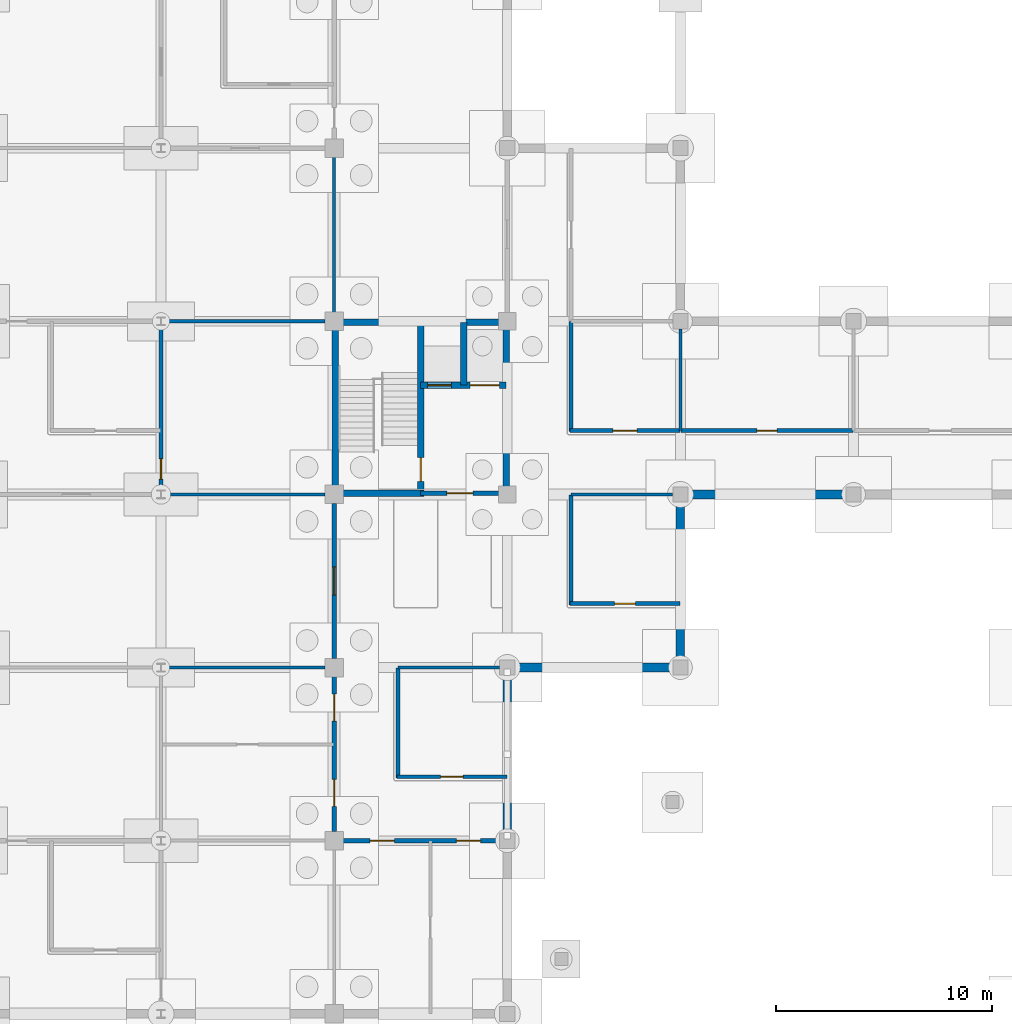
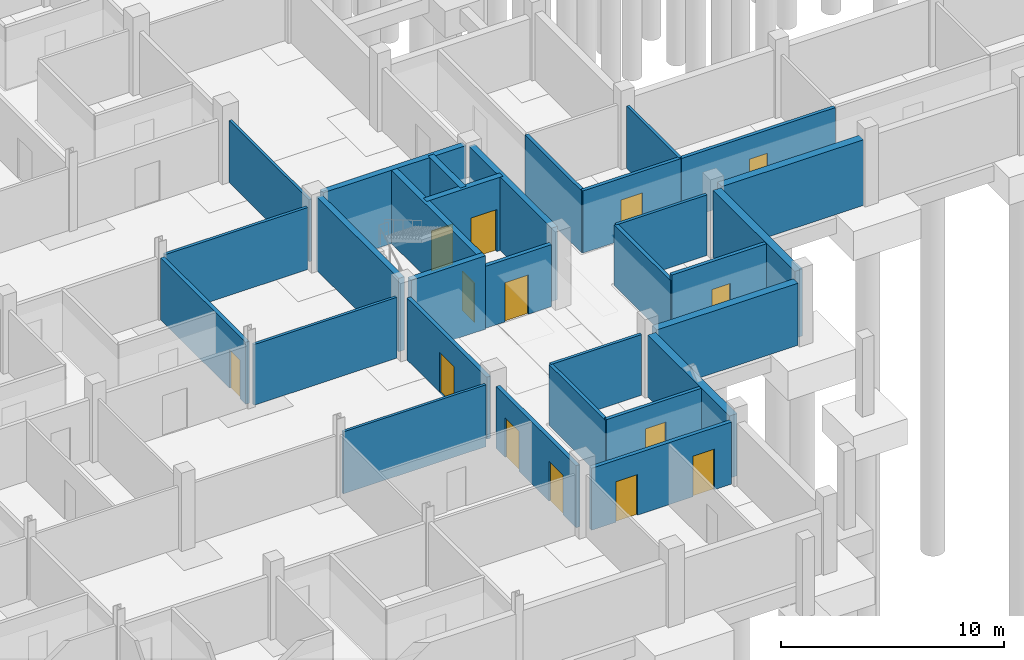
# One storey, part 30 of 48: 30 walls, 14 doors, 14 openings.
"""IFC4 building model written with IfcOpenShell, lengths in metres."""

from ifc_helpers import new_model, si_unit, derived_unit, direction, frame, frame_2d, origin, place, context, subcontext, project, spatial, rectangle, extrude, material, layer, layer_set, type_object, element, fill, save


model = new_model("IFC4")

# Units and contexts
model_context = context("Model", 3, precision=1e-05, world=origin(), true_north=direction((0.0, 1.0)))
body_context = subcontext(model_context, "Body", "Model", "MODEL_VIEW")
ifc_project = project(units=[si_unit("LENGTHUNIT", "METRE"), si_unit("AREAUNIT", "SQUARE_METRE"), si_unit("VOLUMEUNIT", "CUBIC_METRE"), si_unit("PLANEANGLEUNIT", "RADIAN"), si_unit("MASSUNIT", "GRAM", prefix="KILO"), derived_unit("THERMALTRANSMITTANCEUNIT", [(si_unit("MASSUNIT", "GRAM", prefix="KILO"), 1), (si_unit("TIMEUNIT", "SECOND"), -3), (si_unit("THERMODYNAMICTEMPERATUREUNIT", "KELVIN"), -1)])], contexts=[model_context])

# Site, building, storey
site_placement = place(None, origin())
site = spatial("IfcSite", under=ifc_project, at=site_placement, CompositionType="ELEMENT")
building_placement = place(site_placement, origin())
building = spatial("IfcBuilding", under=site, at=building_placement, Name="Veyamyaing Civic Hall", CompositionType="ELEMENT")
storey_placement = place(building_placement, frame((0.0, 0.0, -4.2900390625)))
storey = spatial("IfcBuildingStorey", under=building, at=storey_placement, Name="B1", CompositionType="ELEMENT", Elevation=-4.2900390625)

# Walls
ifc_material_1 = material(Name="Concrete C40/50", Category="concrete")
ifc_layer_1 = layer(ifc_material_1, 0.39990234375, Name="Concrete C40/50")
ifc_layer_set_1 = layer_set([ifc_layer_1], Name="Concrete C40/50")
wall_type_1 = type_object("IfcWallType", Name="WT-01", PredefinedType="SHEAR", material=ifc_layer_set_1)
for number, where, z_axis, x_axis, name in (
    (1, (112.0, 32.3349609375, 0.0), (0.0, 0.0, 1.0), (0.0, 1.0, 0.0), "Basement retaining wall WT-01 E 14.5"),
    (2, (112.3349609375, 40.0, 0.0), (0.0, 0.0, 1.0), (1.0, 0.0, 0.0), "Basement retaining wall WT-01 S 15.6"),
):
    element("IfcWall", number, at=place(storey_placement, frame(where, z_axis=z_axis, x_axis=x_axis)), inside=storey, type_object=wall_type_1, Name=name, PredefinedType="SHEAR", context=body_context, shape_type="SweptSolid", body=[
        extrude(rectangle(XDim=7.330078125, YDim=0.39990234375, at=frame_2d((3.6650390625, 0.0))), origin(), (0.0, 0.0, 1.0), 3.401123046875),
    ])
wall_1_placement = place(storey_placement, frame((120.0, 40.3349609375, 0.0), z_axis=(0.0, 0.0, 1.0), x_axis=(0.0, 1.0, 0.0)))
element("IfcWall", 3, at=wall_1_placement, inside=storey, type_object=wall_type_1, Name="Basement retaining wall WT-01 E 15.6", PredefinedType="SHEAR", context=body_context, shape_type="SweptSolid", body=[
    extrude(rectangle(XDim=7.330078125, YDim=0.39990234375, at=frame_2d((3.6650390625, 0.0))), origin(), (0.0, 0.0, 1.0), 3.6669921875),
])
wall_2_placement = place(storey_placement, frame((120.3349609375, 48.0, 0.0), z_axis=(0.0, 0.0, 1.0), x_axis=(1.0, 0.0, 0.0)))
element("IfcWall", 4, at=wall_2_placement, inside=storey, type_object=wall_type_1, Name="Basement retaining wall WT-01 S 16.7", PredefinedType="SHEAR", context=body_context, shape_type="SweptSolid", body=[
    extrude(rectangle(XDim=7.330078125, YDim=0.39990234375, at=frame_2d((3.6650390625, 0.0))), origin(), (0.0, 0.0, 1.0), 3.60009765625),
])
ifc_layer_2 = layer(ifc_material_1, 0.300048828125, Name="Concrete C40/50")
ifc_layer_set_2 = layer_set([ifc_layer_2], Name="Concrete C40/50")
wall_type_2 = type_object("IfcWallType", Name="WT-05", PredefinedType="SHEAR", material=ifc_layer_set_2)
wall_3_placement = place(storey_placement, frame((104.050048828125, 48.31494140625, 0.0), z_axis=(0.0, 0.0, 1.0), x_axis=(0.0, 1.0, 0.0)))
element("IfcWall", 5, at=wall_3_placement, inside=storey, type_object=wall_type_2, Name="Core shear wall WT-05 CORE-6 B1.W", PredefinedType="SHEAR", context=body_context, shape_type="SweptSolid", body=[
    extrude(rectangle(XDim=7.3701171875, YDim=0.300048828125, at=frame_2d((3.68505859375, 0.0))), origin(), (0.0, 0.0, 1.0), 4.01513671875),
])
wall_4_placement = place(storey_placement, frame((104.31494140625, 55.949951171875, 0.0), z_axis=(0.0, 0.0, 1.0), x_axis=(1.0, 0.0, 0.0)))
element("IfcWall", 6, at=wall_4_placement, inside=storey, type_object=wall_type_2, Name="Core shear wall WT-05 CORE-6 B1.N", PredefinedType="SHEAR", context=body_context, shape_type="SweptSolid", body=[
    extrude(rectangle(XDim=7.39501953125, YDim=0.300048828125, at=frame_2d((3.697509765625, 0.0))), origin(), (0.0, 0.0, 1.0), 4.01513671875),
])
wall_5_placement = place(storey_placement, frame((111.949951171875, 48.2900390625, 0.0), z_axis=(0.0, 0.0, 1.0), x_axis=(0.0, 1.0, 0.0)))
element("IfcWall", 7, at=wall_5_placement, inside=storey, type_object=wall_type_2, Name="Core shear wall WT-05 CORE-6 B1.E", PredefinedType="SHEAR", context=body_context, shape_type="SweptSolid", body=[
    extrude(rectangle(XDim=7.419921875, YDim=0.300048828125, at=frame_2d((3.7099609375, 0.0))), origin(), (0.0, 0.0, 1.0), 4.01513671875),
])
wall_6_placement = place(storey_placement, frame((104.31494140625, 48.050048828125, 0.0), z_axis=(0.0, 0.0, 1.0), x_axis=(1.0, 0.0, 0.0)))
element("IfcWall", 8, at=wall_6_placement, inside=storey, type_object=wall_type_2, Name="Core shear wall WT-05 CORE-6 B1.SS", PredefinedType="SHEAR", context=body_context, shape_type="SweptSolid", body=[
    extrude(rectangle(XDim=3.8349609375, YDim=0.300048828125, at=frame_2d((1.91748046875, 0.0))), origin(), (0.0, 0.0, 1.0), 4.01513671875),
])

# Wall, opening, door
wall_7_placement = place(storey_placement, frame((108.0, 48.050048828125, 0.0), z_axis=(0.0, 0.0, 1.0), x_axis=(0.0, 1.0, 0.0)))
wall_7 = element("IfcWall", 9, at=wall_7_placement, inside=storey, type_object=wall_type_2, Name="Core shear wall WT-05 CORE-6 B1.MID", PredefinedType="SHEAR", context=body_context, shape_type="SweptSolid", body=[
    extrude(rectangle(XDim=7.89990234375, YDim=0.300048828125, at=frame_2d((3.949951171875, 0.0))), origin(), (0.0, 0.0, 1.0), 4.01513671875),
])
opening_1_placement = place(wall_7_placement, frame((0.550048828125, 0.0, 0.0)))
opening_1 = element("IfcOpeningElement", 10, at=opening_1_placement, cuts=wall_7, Name="Opening D-03", PredefinedType="OPENING", context=body_context, shape_type="SweptSolid", body=[
    extrude(rectangle(XDim=1.10009765625, YDim=2.14990234375, at=frame_2d((0.550048828125, 1.074951171875))), frame((0.0, 0.159912109375, 0.0), z_axis=(0.0, -1.0, 0.0), x_axis=(1.0, 0.0, 0.0)), (0.0, 0.0, 1.0), 0.320068359375),
])
ifc_material_2 = material(Name="Galvanized steel S355J2", Category="steel")
door_type_1 = type_object("IfcDoorType", Name="D-03", OperationType="NOTDEFINED", PredefinedType="DOOR", material=ifc_material_2)
door_1_placement = place(opening_1_placement, origin())
door_1 = element("IfcDoor", 11, at=door_1_placement, inside=storey, type_object=door_type_1, Name="Exit stair fire door D-03 ST-06 B1", OperationType="SINGLE_SWING_LEFT", OverallHeight=2.14990234375, OverallWidth=1.10009765625, PredefinedType="DOOR", context=body_context, shape_type="SweptSolid", body=[
    extrude(rectangle(XDim=1.10009765625, YDim=2.14990234375, at=frame_2d((0.550048828125, 1.074951171875))), frame((0.0, 0.02490234375, 0.0), z_axis=(0.0, -1.0, 0.0), x_axis=(1.0, 0.0, 0.0)), (0.0, 0.0, 1.0), 0.050048828125),
])
fill(opening_1, door_1)

# Wall, openings, doors
wall_8_placement = place(storey_placement, frame((108.0, 53.050048828125, 0.0), z_axis=(0.0, 0.0, 1.0), x_axis=(1.0, 0.0, 0.0)))
wall_8 = element("IfcWall", 12, at=wall_8_placement, inside=storey, type_object=wall_type_2, Name="Core shear wall WT-05 CORE-6 B1.LFT", PredefinedType="SHEAR", context=body_context, shape_type="SweptSolid", body=[
    extrude(rectangle(XDim=3.949951171875, YDim=0.300048828125, at=frame_2d((1.97509765625, 0.0))), origin(), (0.0, 0.0, 1.0), 4.01513671875),
])
opening_2_placement = place(wall_8_placement, frame((0.320068359375, 0.0, 0.0)))
opening_2 = element("IfcOpeningElement", 13, at=opening_2_placement, cuts=wall_8, Name="Opening LD-01", PredefinedType="OPENING", context=body_context, shape_type="SweptSolid", body=[
    extrude(rectangle(XDim=1.10009765625, YDim=2.199951171875, at=frame_2d((0.550048828125, 1.10009765625))), frame((0.0, 0.159912109375, 0.0), z_axis=(0.0, -1.0, 0.0), x_axis=(1.0, 0.0, 0.0)), (0.0, 0.0, 1.0), 0.320068359375),
])
opening_3_placement = place(wall_8_placement, frame((2.280029296875, 0.0, 0.0)))
opening_3 = element("IfcOpeningElement", 14, at=opening_3_placement, cuts=wall_8, Name="Opening LD-03", PredefinedType="OPENING", context=body_context, shape_type="SweptSolid", body=[
    extrude(rectangle(XDim=1.35009765625, YDim=2.300048828125, at=frame_2d((0.675048828125, 1.14990234375))), frame((0.0, 0.159912109375, 0.0), z_axis=(0.0, -1.0, 0.0), x_axis=(1.0, 0.0, 0.0)), (0.0, 0.0, 1.0), 0.320068359375),
])
ifc_material_3 = material(Name="Anodised aluminium 6063-T6", Category="aluminium")
door_type_2 = type_object("IfcDoorType", Name="LD-01", OperationType="SLIDING_TO_LEFT", PredefinedType="DOOR", material=ifc_material_3)
door_2_placement = place(opening_2_placement, origin())
door_2 = element("IfcDoor", 15, at=door_2_placement, inside=storey, type_object=door_type_2, Name="Lift sliding landing door LD-01 PL-04 B1", OperationType="SLIDING_TO_LEFT", OverallHeight=2.199951171875, OverallWidth=1.10009765625, PredefinedType="DOOR", context=body_context, shape_type="SweptSolid", body=[
    extrude(rectangle(XDim=1.10009765625, YDim=2.199951171875, at=frame_2d((0.550048828125, 1.10009765625))), frame((0.0, 0.02490234375, 0.0), z_axis=(0.0, -1.0, 0.0), x_axis=(1.0, 0.0, 0.0)), (0.0, 0.0, 1.0), 0.050048828125),
])
fill(opening_2, door_2)
door_type_3 = type_object("IfcDoorType", Name="LD-03", OperationType="DOUBLE_DOOR_SLIDING", PredefinedType="DOOR", material=ifc_material_2)
door_3_placement = place(opening_3_placement, origin())
door_3 = element("IfcDoor", 16, at=door_3_placement, inside=storey, type_object=door_type_3, Name="Lift sliding landing door LD-03 GL-02 B1", OperationType="DOUBLE_DOOR_SLIDING", OverallHeight=2.300048828125, OverallWidth=1.35009765625, PredefinedType="DOOR", context=body_context, shape_type="SweptSolid", body=[
    extrude(rectangle(XDim=1.35009765625, YDim=2.300048828125, at=frame_2d((0.675048828125, 1.14990234375))), frame((0.0, 0.02490234375, 0.0), z_axis=(0.0, -1.0, 0.0), x_axis=(1.0, 0.0, 0.0)), (0.0, 0.0, 1.0), 0.050048828125),
])
fill(opening_3, door_3)

# Wall
wall_9_placement = place(storey_placement, frame((109.97998046875, 53.050048828125, 0.0), z_axis=(0.0, 0.0, 1.0), x_axis=(0.0, 1.0, 0.0)))
element("IfcWall", 17, at=wall_9_placement, inside=storey, type_object=wall_type_2, Name="Core shear wall WT-05 CORE-6 B1.LDIV", PredefinedType="SHEAR", context=body_context, shape_type="SweptSolid", body=[
    extrude(rectangle(XDim=2.89990234375, YDim=0.300048828125, at=frame_2d((1.449951171875, 0.0))), origin(), (0.0, 0.0, 1.0), 4.01513671875),
])

# Wall, opening, door
ifc_layer_3 = layer(ifc_material_1, 0.199951171875, Name="Concrete C40/50")
ifc_layer_set_3 = layer_set([ifc_layer_3], Name="Concrete C40/50")
wall_type_3 = type_object("IfcWallType", Name="WT-06", PredefinedType="PARTITIONING", material=ifc_layer_set_3)
wall_10_placement = place(storey_placement, frame((108.0, 48.050048828125, 0.0), z_axis=(0.0, 0.0, 1.0), x_axis=(1.0, 0.0, 0.0)))
wall_10 = element("IfcWall", 18, at=wall_10_placement, inside=storey, type_object=wall_type_3, Name="Firefighting lift lobby wall WT-06 CORE-6 B1", PredefinedType="PARTITIONING", context=body_context, shape_type="SweptSolid", body=[
    extrude(rectangle(XDim=3.610107421875, YDim=0.199951171875, at=frame_2d((1.80517578125, 0.0))), origin(), (0.0, 0.0, 1.0), 3.39404296875),
])
opening_4_placement = place(wall_10_placement, frame((1.205078125, 0.0, 0.0)))
opening_4 = element("IfcOpeningElement", 19, at=opening_4_placement, cuts=wall_10, Name="Opening D-04", PredefinedType="OPENING", context=body_context, shape_type="SweptSolid", body=[
    extrude(rectangle(XDim=1.199951171875, YDim=2.14990234375, at=frame_2d((0.60009765625, 1.074951171875))), frame((0.0, 0.10986328125, 0.0), z_axis=(0.0, -1.0, 0.0), x_axis=(1.0, 0.0, 0.0)), (0.0, 0.0, 1.0), 0.219970703125),
])
door_type_4 = type_object("IfcDoorType", Name="D-04", OperationType="NOTDEFINED", PredefinedType="DOOR", material=ifc_material_2)
door_4_placement = place(opening_4_placement, frame((1.199951171875, 0.0, 0.0), z_axis=(0.0, 0.0, 1.0), x_axis=(-1.0, 0.0, 0.0)))
door_4 = element("IfcDoor", 20, at=door_4_placement, inside=storey, type_object=door_type_4, Name="Protected lobby fire door D-04 CORE-6 B1", OperationType="SINGLE_SWING_RIGHT", OverallHeight=2.14990234375, OverallWidth=1.199951171875, PredefinedType="DOOR", context=body_context, shape_type="SweptSolid", body=[
    extrude(rectangle(XDim=1.199951171875, YDim=2.14990234375, at=frame_2d((0.60009765625, 1.074951171875))), frame((0.0, 0.02490234375, 0.0), z_axis=(0.0, -1.0, 0.0), x_axis=(1.0, 0.0, 0.0)), (0.0, 0.0, 1.0), 0.050048828125),
])
fill(opening_4, door_4)

wall_11_placement = place(storey_placement, frame((96.0, 48.18359375, 0.0), z_axis=(0.0, 0.0, 1.0), x_axis=(0.0, 1.0, 0.0)))
wall_11 = element("IfcWall", 21, at=wall_11_placement, inside=storey, type_object=wall_type_3, Name="Interior partition wall WT-06 B1.41", PredefinedType="PARTITIONING", context=body_context, shape_type="SweptSolid", body=[
    extrude(rectangle(XDim=7.6328125, YDim=0.199951171875, at=frame_2d((3.81640625, 0.0))), origin(), (0.0, 0.0, 1.0), 3.39404296875),
])
opening_5_placement = place(wall_11_placement, frame((0.52001953125, 0.0, 0.0)))
opening_5 = element("IfcOpeningElement", 22, at=opening_5_placement, cuts=wall_11, Name="Opening D-30", PredefinedType="OPENING", context=body_context, shape_type="SweptSolid", body=[
    extrude(rectangle(XDim=0.93994140625, YDim=2.1201171875, at=frame_2d((0.469970703125, 1.06005859375))), frame((0.0, 0.10986328125, 0.0), z_axis=(0.0, -1.0, 0.0), x_axis=(1.0, 0.0, 0.0)), (0.0, 0.0, 1.0), 0.219970703125),
])
ifc_material_4 = material(Name="Teak-veneered acoustic timber", Category="wood")
door_type_5 = type_object("IfcDoorType", Name="D-30", OperationType="NOTDEFINED", PredefinedType="DOOR", material=ifc_material_4)
door_5_placement = place(opening_5_placement, frame((0.93994140625, 0.0, 0.0), z_axis=(0.0, 0.0, 1.0), x_axis=(-1.0, 0.0, 0.0)))
door_5 = element("IfcDoor", 23, at=door_5_placement, inside=storey, type_object=door_type_5, Name="Interior door D-30 B1.41", OperationType="SINGLE_SWING_RIGHT", OverallHeight=2.1201171875, OverallWidth=0.93994140625, PredefinedType="DOOR", context=body_context, shape_type="SweptSolid", body=[
    extrude(rectangle(XDim=0.93994140625, YDim=2.1201171875, at=frame_2d((0.469970703125, 1.06005859375))), frame((0.0, 0.02490234375, 0.0), z_axis=(0.0, -1.0, 0.0), x_axis=(1.0, 0.0, 0.0)), (0.0, 0.0, 1.0), 0.050048828125),
])
fill(opening_5, door_5)

# Wall, openings, doors
wall_12_placement = place(storey_placement, frame((104.0, 32.4150390625, 0.0), z_axis=(0.0, 0.0, 1.0), x_axis=(0.0, 1.0, 0.0)))
wall_12 = element("IfcWall", 24, at=wall_12_placement, inside=storey, type_object=wall_type_3, Name="Interior partition wall WT-06 B1.48", PredefinedType="PARTITIONING", context=body_context, shape_type="SweptSolid", body=[
    extrude(rectangle(XDim=7.169921875, YDim=0.199951171875, at=frame_2d((3.5849609375, 0.0))), origin(), (0.0, 0.0, 1.0), 3.402099609375),
])
opening_6_placement = place(wall_12_placement, frame((1.16748046875, 0.0, 0.0)))
opening_6 = element("IfcOpeningElement", 25, at=opening_6_placement, cuts=wall_12, Name="Opening D-29", PredefinedType="OPENING", context=body_context, shape_type="SweptSolid", body=[
    extrude(rectangle(XDim=1.25, YDim=2.179931640625, at=frame_2d((0.625, 1.08984375))), frame((0.0, 0.10986328125, 0.0), z_axis=(0.0, -1.0, 0.0), x_axis=(1.0, 0.0, 0.0)), (0.0, 0.0, 1.0), 0.219970703125),
])
opening_7_placement = place(wall_12_placement, frame((5.111083984375, 0.0, 0.0)))
opening_7 = element("IfcOpeningElement", 26, at=opening_7_placement, cuts=wall_12, Name="Opening D-29", PredefinedType="OPENING", context=body_context, shape_type="SweptSolid", body=[
    extrude(rectangle(XDim=1.25, YDim=2.179931640625, at=frame_2d((0.625, 1.08984375))), frame((0.0, 0.10986328125, 0.0), z_axis=(0.0, -1.0, 0.0), x_axis=(1.0, 0.0, 0.0)), (0.0, 0.0, 1.0), 0.219970703125),
])
door_type_6 = type_object("IfcDoorType", Name="D-29", OperationType="NOTDEFINED", PredefinedType="DOOR", material=ifc_material_4)
door_6_placement = place(opening_6_placement, origin())
door_6 = element("IfcDoor", 27, at=door_6_placement, inside=storey, type_object=door_type_6, Name="Interior room door D-29 B1.48.1", OperationType="SINGLE_SWING_RIGHT", OverallHeight=2.179931640625, OverallWidth=1.25, PredefinedType="DOOR", context=body_context, shape_type="SweptSolid", body=[
    extrude(rectangle(XDim=1.25, YDim=2.179931640625, at=frame_2d((0.625, 1.08984375))), frame((0.0, 0.02490234375, 0.0), z_axis=(0.0, -1.0, 0.0), x_axis=(1.0, 0.0, 0.0)), (0.0, 0.0, 1.0), 0.050048828125),
])
fill(opening_6, door_6)
door_7_placement = place(opening_7_placement, origin())
door_7 = element("IfcDoor", 28, at=door_7_placement, inside=storey, type_object=door_type_6, Name="Interior room door D-29 B1.48.2", OperationType="SINGLE_SWING_LEFT", OverallHeight=2.179931640625, OverallWidth=1.25, PredefinedType="DOOR", context=body_context, shape_type="SweptSolid", body=[
    extrude(rectangle(XDim=1.25, YDim=2.179931640625, at=frame_2d((0.625, 1.08984375))), frame((0.0, 0.02490234375, 0.0), z_axis=(0.0, -1.0, 0.0), x_axis=(1.0, 0.0, 0.0)), (0.0, 0.0, 1.0), 0.050048828125),
])
fill(opening_7, door_7)

# Wall, opening, door
wall_13_placement = place(storey_placement, frame((104.0, 40.4150390625, 0.0), z_axis=(0.0, 0.0, 1.0), x_axis=(0.0, 1.0, 0.0)))
wall_13 = element("IfcWall", 29, at=wall_13_placement, inside=storey, type_object=wall_type_3, Name="Interior partition wall WT-06 B1.50", PredefinedType="PARTITIONING", context=body_context, shape_type="SweptSolid", body=[
    extrude(rectangle(XDim=7.169921875, YDim=0.199951171875, at=frame_2d((3.5849609375, 0.0))), origin(), (0.0, 0.0, 1.0), 3.39404296875),
])
opening_8_placement = place(wall_13_placement, frame((2.93505859375, 0.0, 0.0)))
opening_8 = element("IfcOpeningElement", 30, at=opening_8_placement, cuts=wall_13, Name="Opening D-18", PredefinedType="OPENING", context=body_context, shape_type="SweptSolid", body=[
    extrude(rectangle(XDim=1.300048828125, YDim=2.199951171875, at=frame_2d((0.64990234375, 1.10009765625))), frame((0.0, 0.10986328125, 0.0), z_axis=(0.0, -1.0, 0.0), x_axis=(1.0, 0.0, 0.0)), (0.0, 0.0, 1.0), 0.219970703125),
])
door_type_7 = type_object("IfcDoorType", Name="D-18", OperationType="DOUBLE_DOOR_SINGLE_SWING", PredefinedType="DOOR", material=ifc_material_3)
door_8_placement = place(opening_8_placement, origin())
door_8 = element("IfcDoor", 31, at=door_8_placement, inside=storey, type_object=door_type_7, Name="Interior door D-18 B1.50", OperationType="DOUBLE_DOOR_SINGLE_SWING", OverallHeight=2.199951171875, OverallWidth=1.300048828125, PredefinedType="DOOR", context=body_context, shape_type="SweptSolid", body=[
    extrude(rectangle(XDim=1.300048828125, YDim=2.199951171875, at=frame_2d((0.64990234375, 1.10009765625))), frame((0.0, 0.02490234375, 0.0), z_axis=(0.0, -1.0, 0.0), x_axis=(1.0, 0.0, 0.0)), (0.0, 0.0, 1.0), 0.050048828125),
])
fill(opening_8, door_8)

# Wall, openings, doors
wall_14_placement = place(storey_placement, frame((104.4150390625, 32.0, 0.0), z_axis=(0.0, 0.0, 1.0), x_axis=(1.0, 0.0, 0.0)))
wall_14 = element("IfcWall", 32, at=wall_14_placement, inside=storey, type_object=wall_type_3, Name="Interior partition wall WT-06 B1.57", PredefinedType="PARTITIONING", context=body_context, shape_type="SweptSolid", body=[
    extrude(rectangle(XDim=7.244873046875, YDim=0.199951171875, at=frame_2d((3.62255859375, 0.0))), origin(), (0.0, 0.0, 1.0), 3.39306640625),
])
opening_9_placement = place(wall_14_placement, frame((1.251220703125, 0.0, 0.0)))
opening_9 = element("IfcOpeningElement", 33, at=opening_9_placement, cuts=wall_14, Name="Opening D-26", PredefinedType="OPENING", context=body_context, shape_type="SweptSolid", body=[
    extrude(rectangle(XDim=1.1201171875, YDim=2.219970703125, at=frame_2d((0.56005859375, 1.10986328125))), frame((0.0, 0.10986328125, 0.0), z_axis=(0.0, -1.0, 0.0), x_axis=(1.0, 0.0, 0.0)), (0.0, 0.0, 1.0), 0.219970703125),
])
opening_10_placement = place(wall_14_placement, frame((5.236083984375, 0.0, 0.0)))
opening_10 = element("IfcOpeningElement", 34, at=opening_10_placement, cuts=wall_14, Name="Opening D-26", PredefinedType="OPENING", context=body_context, shape_type="SweptSolid", body=[
    extrude(rectangle(XDim=1.1201171875, YDim=2.219970703125, at=frame_2d((0.56005859375, 1.10986328125))), frame((0.0, 0.10986328125, 0.0), z_axis=(0.0, -1.0, 0.0), x_axis=(1.0, 0.0, 0.0)), (0.0, 0.0, 1.0), 0.219970703125),
])
door_type_8 = type_object("IfcDoorType", Name="D-26", OperationType="NOTDEFINED", PredefinedType="DOOR", material=ifc_material_4)
door_9_placement = place(opening_9_placement, frame((1.1201171875, 0.0, 0.0), z_axis=(0.0, 0.0, 1.0), x_axis=(-1.0, 0.0, 0.0)))
door_9 = element("IfcDoor", 35, at=door_9_placement, inside=storey, type_object=door_type_8, Name="Interior room door D-26 B1.57.1", OperationType="SINGLE_SWING_RIGHT", OverallHeight=2.219970703125, OverallWidth=1.1201171875, PredefinedType="DOOR", context=body_context, shape_type="SweptSolid", body=[
    extrude(rectangle(XDim=1.1201171875, YDim=2.219970703125, at=frame_2d((0.56005859375, 1.10986328125))), frame((0.0, 0.02490234375, 0.0), z_axis=(0.0, -1.0, 0.0), x_axis=(1.0, 0.0, 0.0)), (0.0, 0.0, 1.0), 0.050048828125),
])
fill(opening_9, door_9)
door_10_placement = place(opening_10_placement, frame((1.1201171875, 0.0, 0.0), z_axis=(0.0, 0.0, 1.0), x_axis=(-1.0, 0.0, 0.0)))
door_10 = element("IfcDoor", 36, at=door_10_placement, inside=storey, type_object=door_type_8, Name="Interior room door D-26 B1.57.2", OperationType="SINGLE_SWING_LEFT", OverallHeight=2.219970703125, OverallWidth=1.1201171875, PredefinedType="DOOR", context=body_context, shape_type="SweptSolid", body=[
    extrude(rectangle(XDim=1.1201171875, YDim=2.219970703125, at=frame_2d((0.56005859375, 1.10986328125))), frame((0.0, 0.02490234375, 0.0), z_axis=(0.0, -1.0, 0.0), x_axis=(1.0, 0.0, 0.0)), (0.0, 0.0, 1.0), 0.050048828125),
])
fill(opening_10, door_10)

# Wall, opening, door
ifc_material_5 = material(Name="Gypsum board on acoustic steel stud", Category="steel")
ifc_layer_4 = layer(ifc_material_5, 0.175048828125, Name="Gypsum board on acoustic steel stud")
ifc_layer_set_4 = layer_set([ifc_layer_4], Name="Gypsum board on acoustic steel stud")
wall_type_4 = type_object("IfcWallType", Name="WT-07", PredefinedType="PARTITIONING", material=ifc_layer_set_4)
wall_15_placement = place(storey_placement, frame((106.89990234375, 34.949951171875, 0.0), z_axis=(0.0, 0.0, 1.0), x_axis=(1.0, 0.0, 0.0)))
wall_15 = element("IfcWall", 37, at=wall_15_placement, inside=storey, type_object=wall_type_4, Name="Corridor gallery partition WT-07 B1.35.1", PredefinedType="PARTITIONING", context=body_context, shape_type="SweptSolid", body=[
    extrude(rectangle(XDim=5.080078125, YDim=0.175048828125, at=frame_2d((2.5400390625, 0.0))), origin(), (0.0, 0.0, 1.0), 3.39404296875),
])
opening_11_placement = place(wall_15_placement, frame((2.02001953125, 0.0, 0.0)))
opening_11 = element("IfcOpeningElement", 38, at=opening_11_placement, cuts=wall_15, Name="Opening D-24", PredefinedType="OPENING", context=body_context, shape_type="SweptSolid", body=[
    extrude(rectangle(XDim=1.0400390625, YDim=2.179931640625, at=frame_2d((0.52001953125, 1.08984375))), frame((0.0, 0.097412109375, 0.0), z_axis=(0.0, -1.0, 0.0), x_axis=(1.0, 0.0, 0.0)), (0.0, 0.0, 1.0), 0.195068359375),
])
door_type_9 = type_object("IfcDoorType", Name="D-24", OperationType="NOTDEFINED", PredefinedType="DOOR", material=ifc_material_4)
door_11_placement = place(opening_11_placement, origin())
door_11 = element("IfcDoor", 39, at=door_11_placement, inside=storey, type_object=door_type_9, Name="Gallery office door D-24 B1.35", OperationType="SINGLE_SWING_LEFT", OverallHeight=2.179931640625, OverallWidth=1.0400390625, PredefinedType="DOOR", context=body_context, shape_type="SweptSolid", body=[
    extrude(rectangle(XDim=1.0400390625, YDim=2.179931640625, at=frame_2d((0.52001953125, 1.08984375))), frame((0.0, 0.02490234375, 0.0), z_axis=(0.0, -1.0, 0.0), x_axis=(1.0, 0.0, 0.0)), (0.0, 0.0, 1.0), 0.050048828125),
])
fill(opening_11, door_11)

# Wall
wall_16_placement = place(storey_placement, frame((106.949951171875, 34.89990234375, 0.0), z_axis=(0.0, 0.0, 1.0), x_axis=(0.0, 1.0, 0.0)))
element("IfcWall", 40, at=wall_16_placement, inside=storey, type_object=wall_type_4, Name="Corridor gallery partition WT-07 B1.35.2", PredefinedType="PARTITIONING", context=body_context, shape_type="SweptSolid", body=[
    extrude(rectangle(XDim=5.080078125, YDim=0.175048828125, at=frame_2d((2.5400390625, 0.0))), origin(), (0.0, 0.0, 1.0), 3.325927734375),
])

# Wall, opening, door
wall_17_placement = place(storey_placement, frame((114.89990234375, 50.949951171875, 0.0), z_axis=(0.0, 0.0, 1.0), x_axis=(1.0, 0.0, 0.0)))
wall_17 = element("IfcWall", 41, at=wall_17_placement, inside=storey, type_object=wall_type_4, Name="Corridor gallery partition WT-07 B1.37.1", PredefinedType="PARTITIONING", context=body_context, shape_type="SweptSolid", body=[
    extrude(rectangle(XDim=5.080078125, YDim=0.175048828125, at=frame_2d((2.5400390625, 0.0))), origin(), (0.0, 0.0, 1.0), 3.402099609375),
])
opening_12_placement = place(wall_17_placement, frame((1.97998046875, 0.0, 0.0)))
opening_12 = element("IfcOpeningElement", 42, at=opening_12_placement, cuts=wall_17, Name="Opening D-26", PredefinedType="OPENING", context=body_context, shape_type="SweptSolid", body=[
    extrude(rectangle(XDim=1.1201171875, YDim=2.219970703125, at=frame_2d((0.56005859375, 1.10986328125))), frame((0.0, 0.097412109375, 0.0), z_axis=(0.0, -1.0, 0.0), x_axis=(1.0, 0.0, 0.0)), (0.0, 0.0, 1.0), 0.195068359375),
])
door_12_placement = place(opening_12_placement, origin())
door_12 = element("IfcDoor", 43, at=door_12_placement, inside=storey, type_object=door_type_8, Name="Gallery office door D-26 B1.37", OperationType="SINGLE_SWING_LEFT", OverallHeight=2.219970703125, OverallWidth=1.1201171875, PredefinedType="DOOR", context=body_context, shape_type="SweptSolid", body=[
    extrude(rectangle(XDim=1.1201171875, YDim=2.219970703125, at=frame_2d((0.56005859375, 1.10986328125))), frame((0.0, 0.02490234375, 0.0), z_axis=(0.0, -1.0, 0.0), x_axis=(1.0, 0.0, 0.0)), (0.0, 0.0, 1.0), 0.050048828125),
])
fill(opening_12, door_12)

# Wall
wall_18_placement = place(storey_placement, frame((114.949951171875, 50.89990234375, 0.0), z_axis=(0.0, 0.0, 1.0), x_axis=(0.0, 1.0, 0.0)))
element("IfcWall", 44, at=wall_18_placement, inside=storey, type_object=wall_type_4, Name="Corridor gallery partition WT-07 B1.37.2", PredefinedType="PARTITIONING", context=body_context, shape_type="SweptSolid", body=[
    extrude(rectangle(XDim=5.080078125, YDim=0.175048828125, at=frame_2d((2.5400390625, 0.0))), origin(), (0.0, 0.0, 1.0), 3.39306640625),
])

# Wall, opening, door
wall_19_placement = place(storey_placement, frame((120.02001953125, 50.949951171875, 0.0), z_axis=(0.0, 0.0, 1.0), x_axis=(1.0, 0.0, 0.0)))
wall_19 = element("IfcWall", 45, at=wall_19_placement, inside=storey, type_object=wall_type_4, Name="Corridor gallery partition WT-07 B1.39.1", PredefinedType="PARTITIONING", context=body_context, shape_type="SweptSolid", body=[
    extrude(rectangle(XDim=7.9599609375, YDim=0.175048828125, at=frame_2d((3.97998046875, 0.0))), origin(), (0.0, 0.0, 1.0), 3.39404296875),
])
opening_13_placement = place(wall_19_placement, frame((3.510009765625, 0.0, 0.0)))
opening_13 = element("IfcOpeningElement", 46, at=opening_13_placement, cuts=wall_19, Name="Opening D-30", PredefinedType="OPENING", context=body_context, shape_type="SweptSolid", body=[
    extrude(rectangle(XDim=0.93994140625, YDim=2.1201171875, at=frame_2d((0.469970703125, 1.06005859375))), frame((0.0, 0.097412109375, 0.0), z_axis=(0.0, -1.0, 0.0), x_axis=(1.0, 0.0, 0.0)), (0.0, 0.0, 1.0), 0.195068359375),
])
door_13_placement = place(opening_13_placement, origin())
door_13 = element("IfcDoor", 47, at=door_13_placement, inside=storey, type_object=door_type_5, Name="Gallery office door D-30 B1.39", OperationType="SINGLE_SWING_LEFT", OverallHeight=2.1201171875, OverallWidth=0.93994140625, PredefinedType="DOOR", context=body_context, shape_type="SweptSolid", body=[
    extrude(rectangle(XDim=0.93994140625, YDim=2.1201171875, at=frame_2d((0.469970703125, 1.06005859375))), frame((0.0, 0.02490234375, 0.0), z_axis=(0.0, -1.0, 0.0), x_axis=(1.0, 0.0, 0.0)), (0.0, 0.0, 1.0), 0.050048828125),
])
fill(opening_13, door_13)

# Walls
ifc_material_6 = material(Name="Gypsum board on steel stud", Category="steel")
ifc_layer_5 = layer(ifc_material_6, 0.14990234375, Name="Gypsum board on steel stud")
ifc_layer_set_5 = layer_set([ifc_layer_5], Name="Gypsum board on steel stud")
wall_type_5 = type_object("IfcWallType", Name="WT-08", PredefinedType="PARTITIONING", material=ifc_layer_set_5)
wall_20_placement = place(storey_placement, frame((106.949951171875, 40.0, 0.0), z_axis=(0.0, 0.0, 1.0), x_axis=(1.0, 0.0, 0.0)))
element("IfcWall", 48, at=wall_20_placement, inside=storey, type_object=wall_type_5, Name="Gallery office end partition WT-08 B1.35.1", PredefinedType="PARTITIONING", context=body_context, shape_type="SweptSolid", body=[
    extrude(rectangle(XDim=4.68994140625, YDim=0.14990234375, at=frame_2d((2.344970703125, 0.0))), origin(), (0.0, 0.0, 1.0), 3.325927734375),
])
wall_21_placement = place(storey_placement, frame((114.949951171875, 48.0, 0.0), z_axis=(0.0, 0.0, 1.0), x_axis=(1.0, 0.0, 0.0)))
element("IfcWall", 49, at=wall_21_placement, inside=storey, type_object=wall_type_5, Name="Gallery office end partition WT-08 B1.36.1", PredefinedType="PARTITIONING", context=body_context, shape_type="SweptSolid", body=[
    extrude(rectangle(XDim=4.68994140625, YDim=0.14990234375, at=frame_2d((2.344970703125, 0.0))), origin(), (0.0, 0.0, 1.0), 3.317138671875),
])
wall_22_placement = place(storey_placement, frame((120.0, 50.949951171875, 0.0), z_axis=(0.0, 0.0, 1.0), x_axis=(0.0, 1.0, 0.0)))
element("IfcWall", 50, at=wall_22_placement, inside=storey, type_object=wall_type_5, Name="Gallery office end partition WT-08 B1.37.2", PredefinedType="PARTITIONING", context=body_context, shape_type="SweptSolid", body=[
    extrude(rectangle(XDim=4.68994140625, YDim=0.14990234375, at=frame_2d((2.344970703125, 0.0))), origin(), (0.0, 0.0, 1.0), 3.402099609375),
])
wall_23_placement = place(storey_placement, frame((96.18896484375, 56.0, 0.0), z_axis=(0.0, 0.0, 1.0), x_axis=(1.0, 0.0, 0.0)))
element("IfcWall", 51, at=wall_23_placement, inside=storey, type_object=wall_type_5, Name="Interior partition wall WT-08 B1.52", PredefinedType="PARTITIONING", context=body_context, shape_type="SweptSolid", body=[
    extrude(rectangle(XDim=7.39599609375, YDim=0.14990234375, at=frame_2d((3.697998046875, 0.0))), origin(), (0.0, 0.0, 1.0), 3.39404296875),
])
ifc_layer_6 = layer(ifc_material_6, 0.135009765625, Name="Gypsum board on steel stud")
ifc_layer_set_6 = layer_set([ifc_layer_6], Name="Gypsum board on steel stud")
wall_type_6 = type_object("IfcWallType", Name="WT-15", PredefinedType="PARTITIONING", material=ifc_layer_set_6)
wall_24_placement = place(storey_placement, frame((96.18896484375, 40.0, 0.0), z_axis=(0.0, 0.0, 1.0), x_axis=(1.0, 0.0, 0.0)))
element("IfcWall", 52, at=wall_24_placement, inside=storey, type_object=wall_type_6, Name="Interior partition wall WT-15 B1.49", PredefinedType="PARTITIONING", context=body_context, shape_type="SweptSolid", body=[
    extrude(rectangle(XDim=7.39599609375, YDim=0.135009765625, at=frame_2d((3.697998046875, 0.0))), origin(), (0.0, 0.0, 1.0), 3.39306640625),
])
wall_25_placement = place(storey_placement, frame((104.0, 56.4150390625, 0.0), z_axis=(0.0, 0.0, 1.0), x_axis=(0.0, 1.0, 0.0)))
element("IfcWall", 53, at=wall_25_placement, inside=storey, type_object=wall_type_6, Name="Interior partition wall WT-15 B1.53", PredefinedType="PARTITIONING", context=body_context, shape_type="SweptSolid", body=[
    extrude(rectangle(XDim=7.169921875, YDim=0.135009765625, at=frame_2d((3.5849609375, 0.0))), origin(), (0.0, 0.0, 1.0), 3.39306640625),
])

# Wall, opening, door
ifc_material_7 = material(Name="Gypsum board on double acoustic stud")
ifc_layer_7 = layer(ifc_material_7, 0.18505859375, Name="Gypsum board on double acoustic stud")
ifc_layer_set_7 = layer_set([ifc_layer_7], Name="Gypsum board on double acoustic stud")
wall_type_7 = type_object("IfcWallType", Name="WT-19", PredefinedType="PARTITIONING", material=ifc_layer_set_7)
wall_26_placement = place(storey_placement, frame((114.89990234375, 42.949951171875, 0.0), z_axis=(0.0, 0.0, 1.0), x_axis=(1.0, 0.0, 0.0)))
wall_26 = element("IfcWall", 54, at=wall_26_placement, inside=storey, type_object=wall_type_7, Name="Corridor gallery partition WT-19 B1.36.1", PredefinedType="PARTITIONING", context=body_context, shape_type="SweptSolid", body=[
    extrude(rectangle(XDim=5.080078125, YDim=0.18505859375, at=frame_2d((2.5400390625, 0.0))), origin(), (0.0, 0.0, 1.0), 3.66015625),
])
opening_14_placement = place(wall_26_placement, frame((2.06005859375, 0.0, 0.0)))
opening_14 = element("IfcOpeningElement", 55, at=opening_14_placement, cuts=wall_26, Name="Opening D-25", PredefinedType="OPENING", context=body_context, shape_type="SweptSolid", body=[
    extrude(rectangle(XDim=0.9599609375, YDim=2.139892578125, at=frame_2d((0.47998046875, 1.06982421875))), frame((0.0, 0.1025390625, 0.0), z_axis=(0.0, -1.0, 0.0), x_axis=(1.0, 0.0, 0.0)), (0.0, 0.0, 1.0), 0.205078125),
])
door_type_10 = type_object("IfcDoorType", Name="D-25", OperationType="NOTDEFINED", PredefinedType="DOOR", material=ifc_material_4)
door_14_placement = place(opening_14_placement, origin())
door_14 = element("IfcDoor", 56, at=door_14_placement, inside=storey, type_object=door_type_10, Name="Gallery office door D-25 B1.36", OperationType="SINGLE_SWING_RIGHT", OverallHeight=2.139892578125, OverallWidth=0.9599609375, PredefinedType="DOOR", context=body_context, shape_type="SweptSolid", body=[
    extrude(rectangle(XDim=0.9599609375, YDim=2.139892578125, at=frame_2d((0.47998046875, 1.06982421875))), frame((0.0, 0.02490234375, 0.0), z_axis=(0.0, -1.0, 0.0), x_axis=(1.0, 0.0, 0.0)), (0.0, 0.0, 1.0), 0.050048828125),
])
fill(opening_14, door_14)

# Walls
wall_27_placement = place(storey_placement, frame((114.949951171875, 42.89990234375, 0.0), z_axis=(0.0, 0.0, 1.0), x_axis=(0.0, 1.0, 0.0)))
element("IfcWall", 57, at=wall_27_placement, inside=storey, type_object=wall_type_7, Name="Corridor gallery partition WT-19 B1.36.2", PredefinedType="PARTITIONING", context=body_context, shape_type="SweptSolid", body=[
    extrude(rectangle(XDim=5.080078125, YDim=0.18505859375, at=frame_2d((2.5400390625, 0.0))), origin(), (0.0, 0.0, 1.0), 3.317138671875),
])
ifc_layer_8 = layer(ifc_material_6, 0.14208984375, Name="Gypsum board on steel stud")
ifc_layer_set_8 = layer_set([ifc_layer_8], Name="Gypsum board on steel stud")
wall_type_8 = type_object("IfcWallType", Name="WT-20", PredefinedType="PARTITIONING", material=ifc_layer_set_8)
wall_28_placement = place(storey_placement, frame((96.18896484375, 48.0, 0.0), z_axis=(0.0, 0.0, 1.0), x_axis=(1.0, 0.0, 0.0)))
element("IfcWall", 58, at=wall_28_placement, inside=storey, type_object=wall_type_8, Name="Interior partition wall WT-20 B1.51", PredefinedType="PARTITIONING", context=body_context, shape_type="SweptSolid", body=[
    extrude(rectangle(XDim=7.39599609375, YDim=0.14208984375, at=frame_2d((3.697998046875, 0.0))), origin(), (0.0, 0.0, 1.0), 3.325927734375),
])

save(model, "model.ifc")
